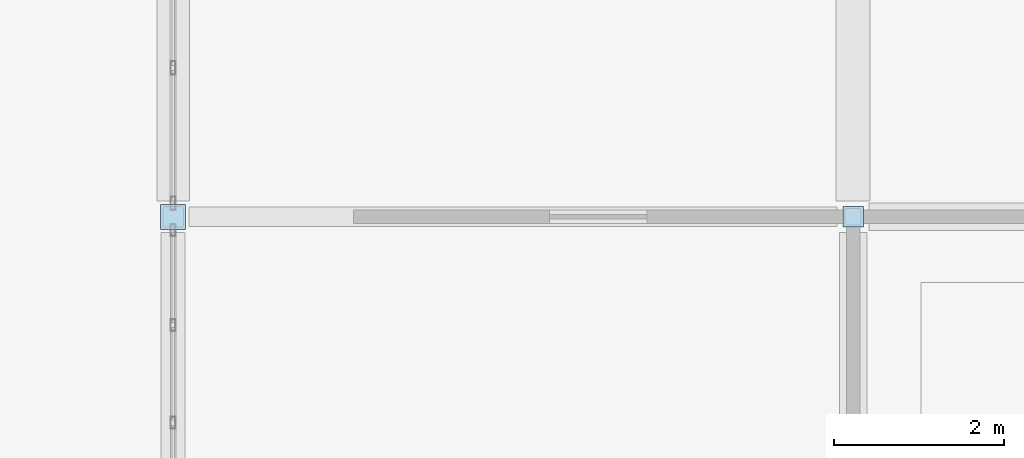
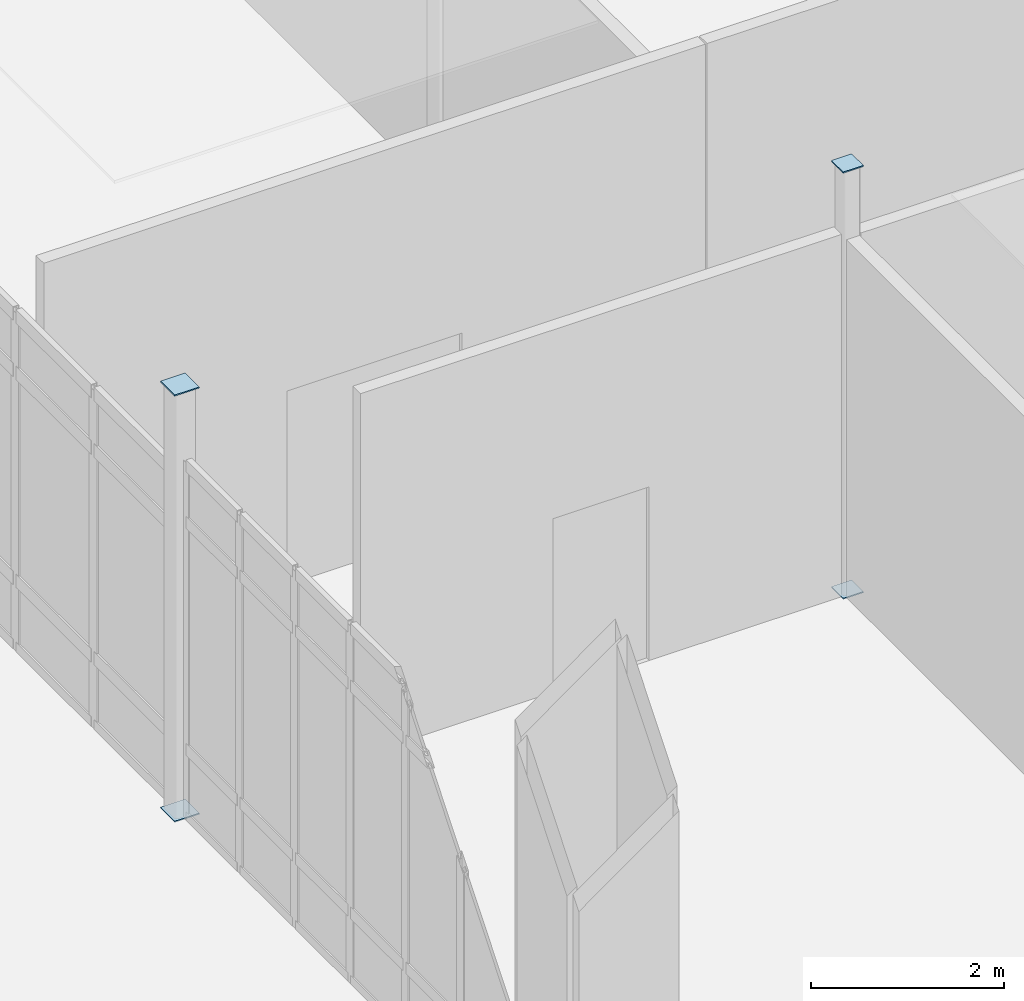
# One storey, part 168 of 229: 4 plates.
"""IFC4 building model written with IfcOpenShell, lengths in metres."""

from ifc_helpers import new_model, si_unit, direction, frame, origin, origin_2d, place, context, subcontext, project, spatial, rectangle, extrude, material, layer, layer_set, type_object, element, save


model = new_model("IFC4")

# Units and contexts
model_context = context("Model", 3, precision=1e-05, world=origin(), true_north=direction((0.0, 1.0)))
body_context = subcontext(model_context, "Body", "Model", "MODEL_VIEW")
ifc_project = project(units=[si_unit("LENGTHUNIT", "METRE"), si_unit("AREAUNIT", "SQUARE_METRE"), si_unit("VOLUMEUNIT", "CUBIC_METRE"), si_unit("PLANEANGLEUNIT", "RADIAN"), si_unit("MASSUNIT", "GRAM", prefix="KILO")], contexts=[model_context])

# Site, building, storey
site_placement = place(None, origin())
site = spatial("IfcSite", under=ifc_project, at=site_placement, CompositionType="ELEMENT")
building_placement = place(site_placement, origin())
building = spatial("IfcBuilding", under=site, at=building_placement, Name="Calvrana Isthmian Art Gallery", CompositionType="ELEMENT")
storey_placement = place(building_placement, origin())
storey = spatial("IfcBuildingStorey", under=building, at=storey_placement, Name="L00", CompositionType="ELEMENT", Elevation=0.0)

# Plates
ifc_material = material(Name="Steel ASTM A572 Gr 50", Category="steel")
ifc_layer = layer(ifc_material, 0.01611328125, Name="Steel ASTM A572 Gr 50")
ifc_layer_set = layer_set([ifc_layer], Name="Steel ASTM A572 Gr 50")
plate_type = type_object("IfcPlateType", Name="PL-CAP-16", PredefinedType="SHEET", material=ifc_layer_set)
for number, where, z_axis, x_axis, name in (
    (1, (96.39990234375, 21.60009765625, -0.008056640625), (0.0, 0.0, 1.0), (1.0, 0.0, 0.0), "Hollow section end cap plate 217"),
    (2, (96.39990234375, 21.60009765625, 5.391845703125), (0.0, 0.0, 1.0), (1.0, 0.0, 0.0), "Hollow section end cap plate 218"),
):
    element("IfcPlate", number, at=place(storey_placement, frame(where, z_axis=z_axis, x_axis=x_axis)), inside=storey, type_object=plate_type, Name=name, PredefinedType="SHEET", context=body_context, shape_type="SweptSolid", body=[
        extrude(rectangle(XDim=0.2939453125, YDim=0.2939453125, at=origin_2d()), origin(), (0.0, 0.0, 1.0), 0.01611328125),
    ])
for number, where, z_axis, x_axis, name in (
    (3, (104.39990234375, 21.60009765625, -0.008056640625), (0.0, 0.0, 1.0), (1.0, 0.0, 0.0), "Hollow section end cap plate 235"),
    (4, (104.39990234375, 21.60009765625, 5.391845703125), (0.0, 0.0, 1.0), (1.0, 0.0, 0.0), "Hollow section end cap plate 236"),
):
    element("IfcPlate", number, at=place(storey_placement, frame(where, z_axis=z_axis, x_axis=x_axis)), inside=storey, type_object=plate_type, Name=name, PredefinedType="SHEET", context=body_context, shape_type="SweptSolid", body=[
        extrude(rectangle(XDim=0.2431640625, YDim=0.2431640625, at=origin_2d()), origin(), (0.0, 0.0, 1.0), 0.01611328125),
    ])

save(model, "model.ifc")
